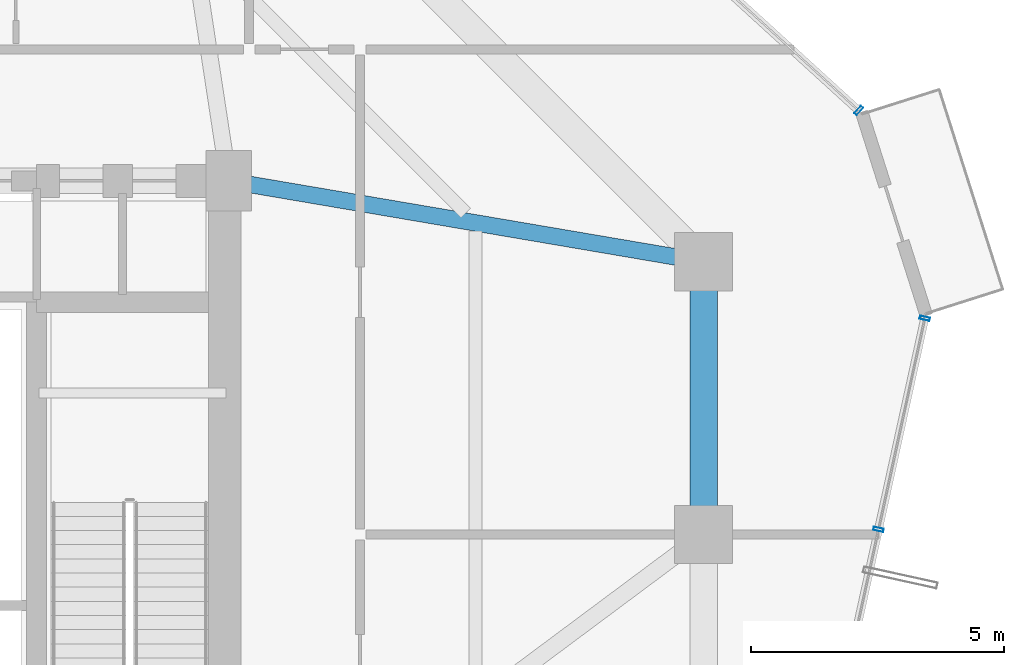
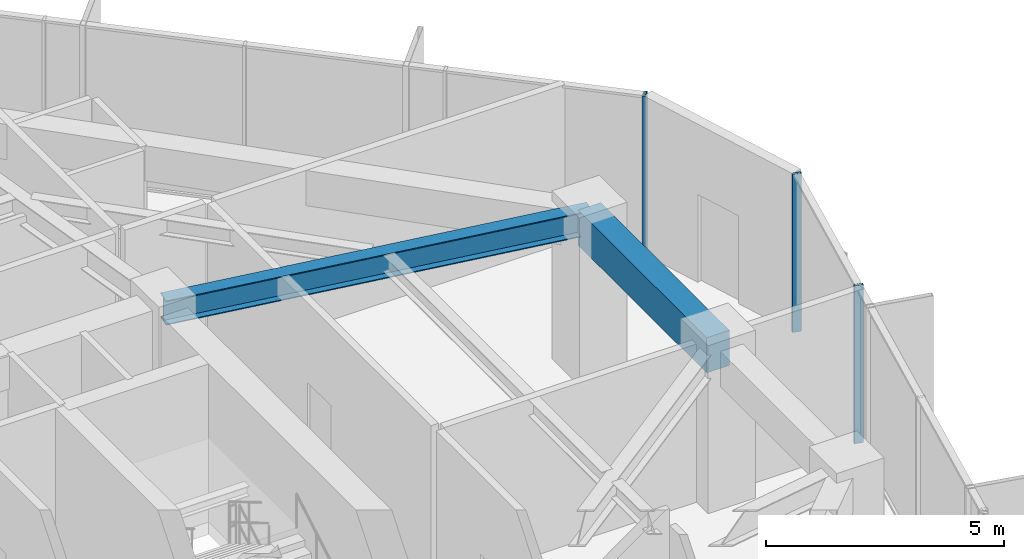
# One storey, part 16 of 28: 3 members, 2 beams, 2 elements without a shape of their own.
"""IFC4 building model written with IfcOpenShell, lengths in metres."""

import ifcopenshell
import ifcopenshell.guid

model = None  # the IFC model being written
_history = None  # IfcOwnerHistory: only IFC2X3 demands one
_inside = {}  # id of a spatial element -> (the spatial element, [elements in it])
_under = {}  # id of a project, library or spatial element -> (it, [spatial elements below it])
_declared = {}  # id of a project -> (the project, [libraries it declares])
_typed = {}  # id of a type object -> (the type object, [elements of that type])
_made_of = {}  # id of a material, layer set ... -> (it, [elements and type objects made of it])


def new_model(schema):
    """Start an empty IFC model of exactly this schema.

    Asked for "IFC4X3", IfcOpenShell would pick the latest addendum, in which some entities
    have other attributes; the version numbers below select the first issue.
    IFC2X3 requires an IfcOwnerHistory on every rooted entity: one is made here for all.
    """
    global model, _history
    if schema == "IFC4X3":
        model = ifcopenshell.file(schema_version=(4, 3, 0, 0))
    else:
        model = ifcopenshell.file(schema=schema)
    _inside.clear()
    _under.clear()
    _declared.clear()
    _typed.clear()
    _made_of.clear()
    _history = None
    if model.schema == "IFC2X3":
        org = make("IfcOrganization", Name="unknown")
        user = make(
            "IfcPersonAndOrganization",
            ThePerson=make("IfcPerson", FamilyName="unknown"),
            TheOrganization=org,
        )
        app = make(
            "IfcApplication",
            ApplicationDeveloper=org,
            Version="unknown",
            ApplicationFullName="unknown",
            ApplicationIdentifier="unknown",
        )
        _history = make(
            "IfcOwnerHistory",
            OwningUser=user,
            OwningApplication=app,
            ChangeAction="ADDED",
            CreationDate=0,
        )
    return model


def make(cls, **values):
    """One entity of the class cls with the attributes given. An attribute that is None is left unset."""
    return model.create_entity(
        cls, **{name: value for name, value in values.items() if value is not None}
    )


def rooted(cls, **values):
    """An entity with a GlobalId (a new one), such as an element, a storey or a relation."""
    return make(cls, GlobalId=ifcopenshell.guid.new(), OwnerHistory=_history, **values)


def si_unit(unit_type, name, prefix=None):
    """IfcSIUnit, for example si_unit("LENGTHUNIT", "METRE", prefix="MILLI")."""
    return make("IfcSIUnit", UnitType=unit_type, Prefix=prefix, Name=name)


def assignment(units):
    """IfcUnitAssignment: the units of a project."""
    return None if units is None else make("IfcUnitAssignment", Units=units)


def point(xyz):
    """IfcCartesianPoint."""
    return None if xyz is None else make("IfcCartesianPoint", Coordinates=xyz)


def direction(xyz):
    """IfcDirection."""
    return None if xyz is None else make("IfcDirection", DirectionRatios=xyz)


def frame(location, z_axis=None, x_axis=None):
    """IfcAxis2Placement3D, a coordinate frame: its origin and axes. An axis left out is left unset."""
    return make(
        "IfcAxis2Placement3D",
        Location=point(location),
        Axis=direction(z_axis),
        RefDirection=direction(x_axis),
    )


def frame_2d(location, x_axis=None):
    """IfcAxis2Placement2D, a coordinate frame in the plane: its origin and x axis."""
    return make(
        "IfcAxis2Placement2D", Location=point(location), RefDirection=direction(x_axis)
    )


def origin():
    """The frame at (0, 0, 0) with its axes left unset."""
    return frame((0.0, 0.0, 0.0))


def origin_2d():
    """The frame at (0, 0) in the plane with its x axis left unset."""
    return frame_2d((0.0, 0.0))


def place(relative_to, where):
    """IfcLocalPlacement: puts the frame where relative to a parent placement (None: the world)."""
    return make(
        "IfcLocalPlacement", PlacementRelTo=relative_to, RelativePlacement=where
    )


def context(
    kind, dimensions, precision=None, world=None, true_north=None, identifier=None
):
    """IfcGeometricRepresentationContext, for example the 3D "Model" context."""
    return make(
        "IfcGeometricRepresentationContext",
        ContextIdentifier=identifier,
        ContextType=kind,
        CoordinateSpaceDimension=dimensions,
        Precision=precision,
        WorldCoordinateSystem=world,
        TrueNorth=true_north,
    )


def subcontext(parent, identifier, kind, view, scale=None):
    """IfcGeometricRepresentationSubContext, for example "Body" below "Model"."""
    return make(
        "IfcGeometricRepresentationSubContext",
        ContextIdentifier=identifier,
        ContextType=kind,
        ParentContext=parent,
        TargetScale=scale,
        TargetView=view,
    )


def project(units=None, contexts=None):
    """IfcProject with its units and contexts."""
    return rooted(
        "IfcProject",
        Name="project",
        RepresentationContexts=contexts,
        UnitsInContext=assignment(units),
    )


def spatial(cls, under=None, at=None, **own):
    """A site, building, storey or space (cls), placed at a placement, below another one or the project."""
    s = rooted(cls, ObjectPlacement=at, **own)
    if under is not None:
        _under.setdefault(under.id(), (under, []))[1].append(s)
    return s


def profile(cls, at=None, kind="AREA", **sizes):
    """A parametric profile (cls). Its sizes go by their IFC names, for example OverallWidth=200.0."""
    return make(cls, ProfileType=kind, Position=at, **sizes)


def rectangle(**sizes):
    """IfcRectangleProfileDef."""
    return profile("IfcRectangleProfileDef", **sizes)


def hollow_rectangle(**sizes):
    """IfcRectangleHollowProfileDef."""
    return profile("IfcRectangleHollowProfileDef", **sizes)


def i_section(**sizes):
    """IfcIShapeProfileDef."""
    return profile("IfcIShapeProfileDef", **sizes)


def extrude(swept, where, along, depth):
    """IfcExtrudedAreaSolid: the profile swept, set in the frame where, extruded along a direction by depth."""
    return make(
        "IfcExtrudedAreaSolid",
        SweptArea=swept,
        Position=where,
        ExtrudedDirection=direction(along),
        Depth=depth,
    )


def shape(context_of_items, identifier, shape_type, items):
    """IfcShapeRepresentation: the items that make up one representation, for example the "Body"."""
    return make(
        "IfcShapeRepresentation",
        ContextOfItems=context_of_items,
        RepresentationIdentifier=identifier,
        RepresentationType=shape_type,
        Items=items,
    )


def source(mapping_origin, context_of_items, identifier, shape_type, items):
    """IfcRepresentationMap: a shape defined once, which mapped items show again and again."""
    return make(
        "IfcRepresentationMap",
        MappingOrigin=mapping_origin,
        MappedRepresentation=shape(context_of_items, identifier, shape_type, items),
    )


def transform(
    local_origin,
    x_axis=None,
    y_axis=None,
    z_axis=None,
    scale=None,
    scale2=None,
    scale3=None,
    uniform=True,
):
    """IfcCartesianTransformationOperator3D, or its non-uniform kind. x_axis, y_axis, z_axis: its Axis1, 2, 3."""
    if uniform:
        return make(
            "IfcCartesianTransformationOperator3D",
            Axis1=direction(x_axis),
            Axis2=direction(y_axis),
            LocalOrigin=point(local_origin),
            Scale=scale,
            Axis3=direction(z_axis),
        )
    return make(
        "IfcCartesianTransformationOperator3DnonUniform",
        Axis1=direction(x_axis),
        Axis2=direction(y_axis),
        LocalOrigin=point(local_origin),
        Scale=scale,
        Axis3=direction(z_axis),
        Scale2=scale2,
        Scale3=scale3,
    )


def mapped(mapping_source, mapping_target):
    """IfcMappedItem: shows the shape of a source again, moved by a transform."""
    return make(
        "IfcMappedItem", MappingSource=mapping_source, MappingTarget=mapping_target
    )


def material(Name=None, Category=None):
    """IfcMaterial."""
    return make("IfcMaterial", Name=Name, Category=Category)


def layer(
    of_material, thickness, ventilated=None, Name=None, Category=None, Priority=None
):
    """IfcMaterialLayer: one layer of a wall or slab, of a material (None: an air gap)."""
    return make(
        "IfcMaterialLayer",
        Material=of_material,
        LayerThickness=thickness,
        IsVentilated=ventilated,
        Name=Name,
        Category=Category,
        Priority=Priority,
    )


def layer_set(layers, Name=None):
    """IfcMaterialLayerSet."""
    return make("IfcMaterialLayerSet", MaterialLayers=layers, LayerSetName=Name)


def material_profile(
    of_material, cross_section, Name=None, Category=None, Priority=None
):
    """IfcMaterialProfile: a cross section and its material."""
    return make(
        "IfcMaterialProfile",
        Name=Name,
        Material=of_material,
        Profile=cross_section,
        Priority=Priority,
        Category=Category,
    )


def profile_set(profiles, Name=None, composite=None):
    """IfcMaterialProfileSet."""
    return make(
        "IfcMaterialProfileSet",
        Name=Name,
        MaterialProfiles=profiles,
        CompositeProfile=composite,
    )


def made_of(thing, what):
    """Note that an element or type object is made of a material, layer set ...; save() writes the relation."""
    if what is not None:
        _made_of.setdefault(what.id(), (what, []))[1].append(thing)
    return thing


def type_object(cls, material=None, **own):
    """A type object (cls), such as IfcWallType, which elements share."""
    return made_of(rooted(cls, **own), material)


def element(
    cls,
    number,
    at=None,
    inside=None,
    cuts=None,
    type_object=None,
    material=None,
    context=None,
    identifier="Body",
    shape_type=None,
    held_by="IfcProductDefinitionShape",
    body=None,
    shapes=None,
    **own,
):
    """One element of the class cls, such as IfcWall. Its Tag is "e" and its number.

    at: its placement. inside: the storey or other place that contains it. cuts: it is an
    opening in that element (IfcRelVoidsElement). A single representation is given by context,
    identifier, shape_type and body (its items); several are given by shapes. held_by: the class
    of the entity that holds the representations. save() writes the other relations.
    """
    e = rooted(cls, Tag="e%d" % number, ObjectPlacement=at, **own)
    if body is not None:
        shapes = [shape(context, identifier, shape_type, body)]
    if shapes is not None:
        e.Representation = make(held_by, Representations=shapes)
    if inside is not None:
        _inside.setdefault(inside.id(), (inside, []))[1].append(e)
    if cuts is not None:
        rooted(
            "IfcRelVoidsElement", RelatingBuildingElement=cuts, RelatedOpeningElement=e
        )
    if type_object is not None:
        _typed.setdefault(type_object.id(), (type_object, []))[1].append(e)
    return made_of(e, material)


def aggregate(whole, parts):
    """IfcRelAggregates: a whole, such as a stair, and the parts it consists of."""
    return rooted("IfcRelAggregates", RelatingObject=whole, RelatedObjects=parts)


def save(model, path):
    """Write the relations noted so far, then the file.

    IfcRelAggregates (storeys below a building ...), IfcRelContainedInSpatialStructure (elements
    in a storey), IfcRelDefinesByType, IfcRelAssociatesMaterial and IfcRelDeclares: one each for
    every whole, place, type object, material and project.
    """
    for whole, parts in _under.values():
        aggregate(whole, parts)
    for where, things in _inside.values():
        rooted(
            "IfcRelContainedInSpatialStructure",
            RelatedElements=things,
            RelatingStructure=where,
        )
    for kind, things in _typed.values():
        rooted("IfcRelDefinesByType", RelatedObjects=things, RelatingType=kind)
    for what, things in _made_of.values():
        rooted("IfcRelAssociatesMaterial", RelatedObjects=things, RelatingMaterial=what)
    for by, libraries in _declared.values():
        rooted("IfcRelDeclares", RelatingContext=by, RelatedDefinitions=libraries)
    model.write(path)


model = new_model("IFC4")

# Units and contexts
model_context = context("Model", 3, precision=1e-05, world=origin(), true_north=direction((0.0, 1.0)))
body_context = subcontext(model_context, "Body", "Model", "MODEL_VIEW")
ifc_project = project(units=[si_unit("LENGTHUNIT", "METRE"), si_unit("AREAUNIT", "SQUARE_METRE"), si_unit("VOLUMEUNIT", "CUBIC_METRE"), si_unit("PLANEANGLEUNIT", "RADIAN"), si_unit("MASSUNIT", "GRAM", prefix="KILO")], contexts=[model_context])

# Site, building, storey
site_placement = place(None, origin())
site = spatial("IfcSite", under=ifc_project, at=site_placement, CompositionType="ELEMENT")
building_placement = place(site_placement, origin())
building = spatial("IfcBuilding", under=site, at=building_placement, Name="Veraguas Prism Commons", CompositionType="ELEMENT")
storey_placement = place(building_placement, frame((0.0, 0.0, 85.14990234375)))
storey = spatial("IfcBuildingStorey", under=building, at=storey_placement, Name="L23", CompositionType="ELEMENT", Elevation=85.14990234375)

# Beams
ifc_material_1 = material(Name="Concrete C50/60", Category="concrete")
ifc_material_profile_1 = material_profile(ifc_material_1, rectangle(XDim=0.550048828125, YDim=0.89990234375, at=origin_2d()), Name="RC550X900")
ifc_profile_set_1 = profile_set([ifc_material_profile_1], Name="Concrete C50/60")
beam_type_1 = type_object("IfcBeamType", Name="Perimeter Spandrel Lower RC 550x900", PredefinedType="SPANDREL", material=ifc_profile_set_1)
beam_1_placement = place(storey_placement, frame((40.199951171875, 24.0, 3.60009765625), z_axis=(0.0, 1.0, 0.0), x_axis=(-1.0, 0.0, 0.0)))
element("IfcBeam", 1, at=beam_1_placement, inside=storey, type_object=beam_type_1, Name="Perimeter Spandrel Beam L23-SP02", PredefinedType="SPANDREL", context=body_context, shape_type="SweptSolid", body=[
    extrude(rectangle(XDim=0.550048828125, YDim=0.89990234375, at=origin_2d()), origin(), (0.0, 0.0, 1.0), 5.39990234375),
])
ifc_material_2 = material(Name="Steel ASTM A992 Grade 50", Category="steel")
ifc_material_profile_2 = material_profile(ifc_material_2, i_section(OverallWidth=0.327880859375, OverallDepth=0.6220703125, WebThickness=0.015380859375, FlangeThickness=0.0244140625, at=origin_2d()), Name="W610X195")
ifc_profile_set_2 = profile_set([ifc_material_profile_2], Name="Steel ASTM A992 Grade 50")
beam_type_2 = type_object("IfcBeamType", Name="Zone 2 Radial Girder W610x195", PredefinedType="BEAM", material=ifc_profile_set_2)
beam_2_placement = place(storey_placement, frame((40.199951171875, 29.39990234375, 3.739013671875), z_axis=(-0.985819187151, 0.1678109956, 0.0), x_axis=(-0.1678109956, -0.985819187151, 0.0)))
element("IfcBeam", 2, at=beam_2_placement, inside=storey, type_object=beam_type_2, Name="Radial Floor Girder L23-RD03", PredefinedType="BEAM", context=body_context, shape_type="SweptSolid", body=[
    extrude(i_section(OverallWidth=0.327880859375, OverallDepth=0.6220703125, WebThickness=0.015380859375, FlangeThickness=0.0244140625, at=origin_2d()), origin(), (0.0, 0.0, 1.0), 9.53515625),
])

# Curtain wall, member
ifc_material_3 = material(Name="Anodised aluminium EN AW-6063 T6", Category="aluminium")
ifc_layer = layer(ifc_material_3, 0.199951171875, Name="Sky Lobby and Pool Acoustic Curtain Wall", Category="aluminium")
ifc_layer_set = layer_set([ifc_layer], Name="Anodised aluminium EN AW-6063 T6")
curtain_wall_type = type_object("IfcCurtainWallType", Name="Sky Lobby and Pool Acoustic Curtain Wall", PredefinedType="NOTDEFINED", material=ifc_layer_set)
curtain_wall_1_placement = place(storey_placement, origin())
curtain_wall_1 = element("IfcCurtainWall", 3, at=curtain_wall_1_placement, inside=storey, type_object=curtain_wall_type, Name="Tower Facade Curtain Wall L23-F1", PredefinedType="NOTDEFINED")
ifc_material_profile_3 = material_profile(ifc_material_3, hollow_rectangle(XDim=0.06494140625, YDim=0.199951171875, WallThickness=0.00390625, at=origin_2d()), Name="AL65X200X4")
ifc_profile_set_3 = profile_set([ifc_material_profile_3], Name="Anodised aluminium EN AW-6063 T6")
member_type = type_object("IfcMemberType", Name="Curtain Wall Mullion Heavy AL 65x200x4", PredefinedType="MULLION", material=ifc_profile_set_3)
shared_shape = source(origin(), body_context, "Body", "SweptSolid", [
    extrude(hollow_rectangle(XDim=0.06494140625, YDim=0.199951171875, WallThickness=0.00390625, at=origin_2d()), origin(), (0.0, 0.0, 1.0), 4.050048828125),
])
member_1_placement = place(storey_placement, frame((43.268310546875, 32.39013671875, 0.0), z_axis=(0.0, 0.0, 1.0), x_axis=(-0.738924736523, 0.673787973887, 0.0)))
member_1 = element("IfcMember", 4, at=member_1_placement, type_object=member_type, Name="CW-SKY Mullion 1", PredefinedType="MULLION", context=body_context, shape_type="MappedRepresentation", body=[
    mapped(shared_shape, transform((0.0, 0.0, 0.0), scale=1.0)),
])
aggregate(curtain_wall_1, [member_1])

# Curtain wall, members
curtain_wall_2_placement = place(storey_placement, origin())
curtain_wall_2 = element("IfcCurtainWall", 5, at=curtain_wall_2_placement, inside=storey, type_object=curtain_wall_type, Name="Tower Facade Curtain Wall L23-F6", PredefinedType="NOTDEFINED")
member_2_placement = place(storey_placement, frame((43.66015625, 24.102783203125, 0.0), z_axis=(0.0, 0.0, 1.0), x_axis=(0.21405513389, 0.976821580257, 0.0)))
member_2 = element("IfcMember", 6, at=member_2_placement, type_object=member_type, Name="CW-SKY Mullion 4", PredefinedType="MULLION", context=body_context, shape_type="MappedRepresentation", body=[
    mapped(shared_shape, transform((0.0, 0.0, 0.0), scale=1.0)),
])
member_3_placement = place(storey_placement, frame((44.575439453125, 28.279541015625, 0.0), z_axis=(0.0, 0.0, 1.0), x_axis=(0.21405513389, 0.976821580257, 0.0)))
member_3 = element("IfcMember", 7, at=member_3_placement, type_object=member_type, Name="CW-SKY Mullion 5", PredefinedType="MULLION", context=body_context, shape_type="MappedRepresentation", body=[
    mapped(shared_shape, transform((0.0, 0.0, 0.0), scale=1.0)),
])
aggregate(curtain_wall_2, [member_2, member_3])

save(model, "model.ifc")
